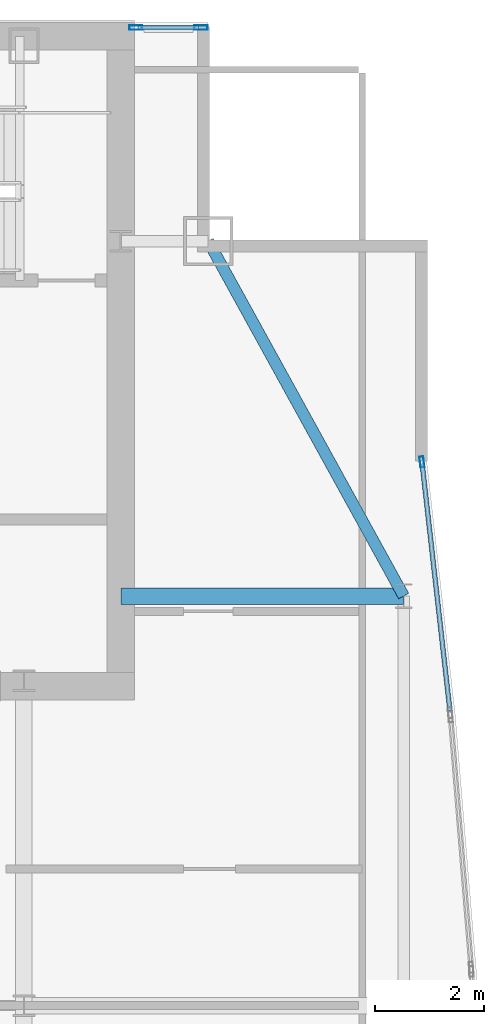
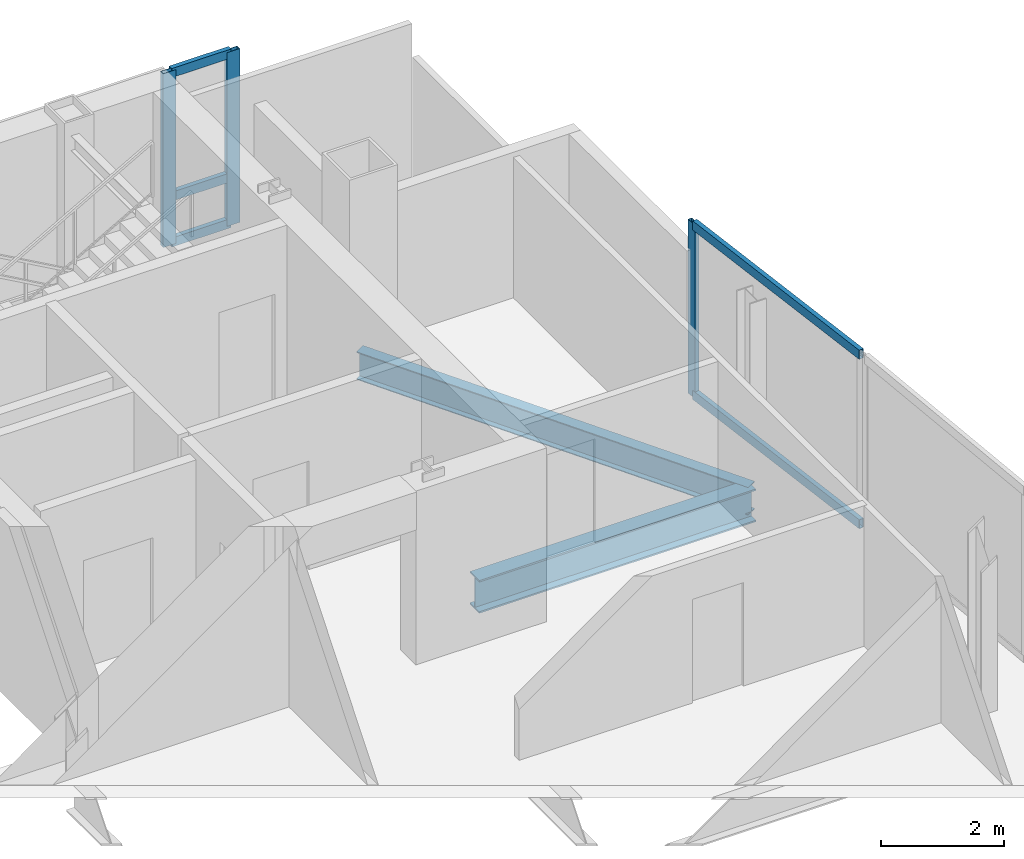
# One storey, part 18 of 25: 8 members, 2 beams, 2 elements without a shape of their own.
"""IFC4 building model written with IfcOpenShell, lengths in metres."""

from ifc_helpers import new_model, si_unit, direction, frame, origin, origin_2d, place, context, subcontext, project, spatial, hollow_rectangle, i_section, extrude, material, material_profile, profile_set, type_object, element, aggregate, save


model = new_model("IFC4")

# Units and contexts
model_context = context("Model", 3, precision=1e-05, world=origin(), true_north=direction((0.0, 1.0)))
body_context = subcontext(model_context, "Body", "Model", "MODEL_VIEW")
ifc_project = project(units=[si_unit("LENGTHUNIT", "METRE"), si_unit("AREAUNIT", "SQUARE_METRE"), si_unit("VOLUMEUNIT", "CUBIC_METRE"), si_unit("PLANEANGLEUNIT", "RADIAN"), si_unit("MASSUNIT", "GRAM", prefix="KILO")], contexts=[model_context])

# Site, building, storey
site_placement = place(None, origin())
site = spatial("IfcSite", under=ifc_project, at=site_placement, CompositionType="ELEMENT")
building_placement = place(site_placement, origin())
building = spatial("IfcBuilding", under=site, at=building_placement, Name="Khoronbel Lancet Exchange", CompositionType="ELEMENT")
storey_placement = place(building_placement, frame((0.0, 0.0, 298.60009765625)))
storey = spatial("IfcBuildingStorey", under=building, at=storey_placement, Name="L77", CompositionType="ELEMENT", Elevation=298.60009765625)

# Beams
ifc_material_1 = material(Name="Steel S355", Category="steel")
ifc_material_profile_1 = material_profile(ifc_material_1, i_section(OverallWidth=0.300048828125, OverallDepth=0.64990234375, WebThickness=0.01611328125, FlangeThickness=0.031005859375, at=origin_2d()), Name="HEB 650")
ifc_profile_set_1 = profile_set([ifc_material_profile_1], Name="Steel S355")
beam_type_1 = type_object("IfcBeamType", Name="BM-BG4", PredefinedType="BEAM", material=ifc_profile_set_1)
beam_1_placement = place(storey_placement, frame((56.449951171875, 43.199951171875, -0.485107421875), z_axis=(1.0, 0.0, 0.0), x_axis=(0.0, 1.0, 0.0)))
element("IfcBeam", 1, at=beam_1_placement, inside=storey, type_object=beam_type_1, Name="Level L77 east lens tie girder LG3E", PredefinedType="BEAM", context=body_context, shape_type="SweptSolid", body=[
    extrude(i_section(OverallWidth=0.300048828125, OverallDepth=0.64990234375, WebThickness=0.01611328125, FlangeThickness=0.031005859375, at=origin_2d()), origin(), (0.0, 0.0, 1.0), 5.179931640625),
])
ifc_material_profile_2 = material_profile(ifc_material_1, i_section(OverallWidth=0.2099609375, OverallDepth=0.550048828125, WebThickness=0.010986328125, FlangeThickness=0.01708984375, at=origin_2d()), Name="IPE 550")
ifc_profile_set_2 = profile_set([ifc_material_profile_2], Name="Steel S355")
beam_type_2 = type_object("IfcBeamType", Name="BM-BSP3", PredefinedType="SPANDREL", material=ifc_profile_set_2)
beam_2_placement = place(storey_placement, frame((61.6298828125, 43.199951171875, -0.43505859375), z_axis=(-0.482418808117, 0.875940690672, 0.0), x_axis=(-0.875940690672, -0.482418808117, 0.0)))
element("IfcBeam", 2, at=beam_2_placement, inside=storey, type_object=beam_type_2, Name="Level L77 perimeter spandrel beam SP15", PredefinedType="SPANDREL", context=body_context, shape_type="SweptSolid", body=[
    extrude(i_section(OverallWidth=0.2099609375, OverallDepth=0.550048828125, WebThickness=0.010986328125, FlangeThickness=0.01708984375, at=origin_2d()), origin(), (0.0, 0.0, 1.0), 7.420654296875),
])

# Curtain wall, members
ifc_material_2 = material(Name="Low-E Solar Control Insulating Glass", Category="glass")
curtain_wall_type_1 = type_object("IfcCurtainWallType", Name="CW-3", PredefinedType="NOTDEFINED", material=ifc_material_2)
curtain_wall_1_placement = place(storey_placement, origin())
curtain_wall_1 = element("IfcCurtainWall", 3, at=curtain_wall_1_placement, inside=storey, type_object=curtain_wall_type_1, Name="Unitised curtain wall CW-L77-NEFLK", PredefinedType="NOTDEFINED")
ifc_material_3 = material(Name="Bronze-Anodised Aluminium 6063-T6", Category="aluminium")
ifc_material_profile_3 = material_profile(ifc_material_3, hollow_rectangle(XDim=0.0849609375, YDim=0.239990234375, WallThickness=0.006103515625, at=origin_2d()), Name="ALU MULLION 85x240")
ifc_profile_set_3 = profile_set([ifc_material_profile_3], Name="Bronze-Anodised Aluminium 6063-T6")
member_type_1 = type_object("IfcMemberType", Name="MEM-CWM1", PredefinedType="MULLION", material=ifc_profile_set_3)
member_1_placement = place(storey_placement, frame((57.91748046875, 53.610107421875, 0.0), z_axis=(0.0, 0.0, 1.0), x_axis=(0.0, -1.0, 0.0)))
member_1 = element("IfcMember", 4, at=member_1_placement, type_object=member_type_1, Name="CW3 mullion 1", PredefinedType="MULLION", context=body_context, shape_type="SweptSolid", body=[
    extrude(hollow_rectangle(XDim=0.0849609375, YDim=0.239990234375, WallThickness=0.006103515625, at=origin_2d()), origin(), (0.0, 0.0, 1.0), 3.43994140625),
])
member_2_placement = place(storey_placement, frame((56.722412109375, 53.610107421875, 0.0), z_axis=(0.0, 0.0, 1.0), x_axis=(0.0, -1.0, 0.0)))
member_2 = element("IfcMember", 5, at=member_2_placement, type_object=member_type_1, Name="CW3 mullion 2", PredefinedType="MULLION", context=body_context, shape_type="SweptSolid", body=[
    extrude(hollow_rectangle(XDim=0.0849609375, YDim=0.239990234375, WallThickness=0.006103515625, at=origin_2d()), origin(), (0.0, 0.0, 1.0), 3.43994140625),
])

# Curtain wall, member
curtain_wall_type_2 = type_object("IfcCurtainWallType", Name="CW-4", PredefinedType="NOTDEFINED", material=ifc_material_2)
curtain_wall_2_placement = place(storey_placement, origin())
curtain_wall_2 = element("IfcCurtainWall", 6, at=curtain_wall_2_placement, inside=storey, type_object=curtain_wall_type_2, Name="Unitised curtain wall CW-L77-E17", PredefinedType="NOTDEFINED")
ifc_material_profile_4 = material_profile(ifc_material_3, hollow_rectangle(XDim=0.074951171875, YDim=0.199951171875, WallThickness=0.0048828125, at=origin_2d()), Name="ALU MULLION 75x200")
ifc_profile_set_4 = profile_set([ifc_material_profile_4], Name="Bronze-Anodised Aluminium 6063-T6")
member_type_2 = type_object("IfcMemberType", Name="MEM-CWM2", PredefinedType="MULLION", material=ifc_profile_set_4)
member_3_placement = place(storey_placement, frame((61.964111328125, 45.65771484375, 0.0), z_axis=(0.0, 0.0, 1.0), x_axis=(0.993731788903, 0.111790570813, 0.0)))
member_3 = element("IfcMember", 7, at=member_3_placement, type_object=member_type_2, Name="CW4 mullion 1", PredefinedType="MULLION", context=body_context, shape_type="SweptSolid", body=[
    extrude(hollow_rectangle(XDim=0.074951171875, YDim=0.199951171875, WallThickness=0.0048828125, at=origin_2d()), origin(), (0.0, 0.0, 1.0), 3.43994140625),
])

# Member
ifc_material_profile_5 = material_profile(ifc_material_3, hollow_rectangle(XDim=0.0849609375, YDim=0.179931640625, WallThickness=0.0048828125, at=origin_2d()), Name="ALU TRANSOM 85x180")
ifc_profile_set_5 = profile_set([ifc_material_profile_5], Name="Bronze-Anodised Aluminium 6063-T6")
member_type_3 = type_object("IfcMemberType", Name="MEM-CWT1", PredefinedType="USERDEFINED", material=ifc_profile_set_5)
member_4_placement = place(storey_placement, frame((57.875, 53.610107421875, 0.04248046875), z_axis=(-1.0, 0.0, 0.0), x_axis=(0.0, -1.0, 0.0)))
member_4 = element("IfcMember", 8, at=member_4_placement, type_object=member_type_3, Name="CW3 transom 1.1", ObjectType="TRANSOM", PredefinedType="USERDEFINED", context=body_context, shape_type="SweptSolid", body=[
    extrude(hollow_rectangle(XDim=0.0849609375, YDim=0.179931640625, WallThickness=0.0048828125, at=origin_2d()), origin(), (0.0, 0.0, 1.0), 1.110107421875),
])

member_5_placement = place(storey_placement, frame((57.875, 53.610107421875, 0.949951171875), z_axis=(-1.0, 0.0, 0.0), x_axis=(0.0, -1.0, 0.0)))
member_5 = element("IfcMember", 9, at=member_5_placement, type_object=member_type_3, Name="CW3 transom 1.2", ObjectType="TRANSOM", PredefinedType="USERDEFINED", context=body_context, shape_type="SweptSolid", body=[
    extrude(hollow_rectangle(XDim=0.0849609375, YDim=0.179931640625, WallThickness=0.0048828125, at=origin_2d()), origin(), (0.0, 0.0, 1.0), 1.110107421875),
])

member_6_placement = place(storey_placement, frame((57.875, 53.610107421875, 3.3974609375), z_axis=(-1.0, 0.0, 0.0), x_axis=(0.0, -1.0, 0.0)))
member_6 = element("IfcMember", 10, at=member_6_placement, type_object=member_type_3, Name="CW3 transom 1.3", ObjectType="TRANSOM", PredefinedType="USERDEFINED", context=body_context, shape_type="SweptSolid", body=[
    extrude(hollow_rectangle(XDim=0.0849609375, YDim=0.179931640625, WallThickness=0.0048828125, at=origin_2d()), origin(), (0.0, 0.0, 1.0), 1.110107421875),
])

aggregate(curtain_wall_1, [member_1, member_2, member_4, member_5, member_6])

member_7_placement = place(storey_placement, frame((61.968505859375, 45.620361328125, 0.04248046875), z_axis=(0.111774239585, -0.993733625961, 0.0), x_axis=(0.993733625961, 0.111774239585, 0.0)))
member_7 = element("IfcMember", 11, at=member_7_placement, type_object=member_type_3, Name="CW4 transom 1.1", ObjectType="TRANSOM", PredefinedType="USERDEFINED", context=body_context, shape_type="SweptSolid", body=[
    extrude(hollow_rectangle(XDim=0.0849609375, YDim=0.179931640625, WallThickness=0.0048828125, at=origin_2d()), origin(), (0.0, 0.0, 1.0), 4.5498046875),
])

member_8_placement = place(storey_placement, frame((61.968505859375, 45.620361328125, 3.3974609375), z_axis=(0.111774239585, -0.993733625961, 0.0), x_axis=(0.993733625961, 0.111774239585, 0.0)))
member_8 = element("IfcMember", 12, at=member_8_placement, type_object=member_type_3, Name="CW4 transom 1.2", ObjectType="TRANSOM", PredefinedType="USERDEFINED", context=body_context, shape_type="SweptSolid", body=[
    extrude(hollow_rectangle(XDim=0.0849609375, YDim=0.179931640625, WallThickness=0.0048828125, at=origin_2d()), origin(), (0.0, 0.0, 1.0), 4.5498046875),
])

aggregate(curtain_wall_2, [member_3, member_7, member_8])

save(model, "model.ifc")
